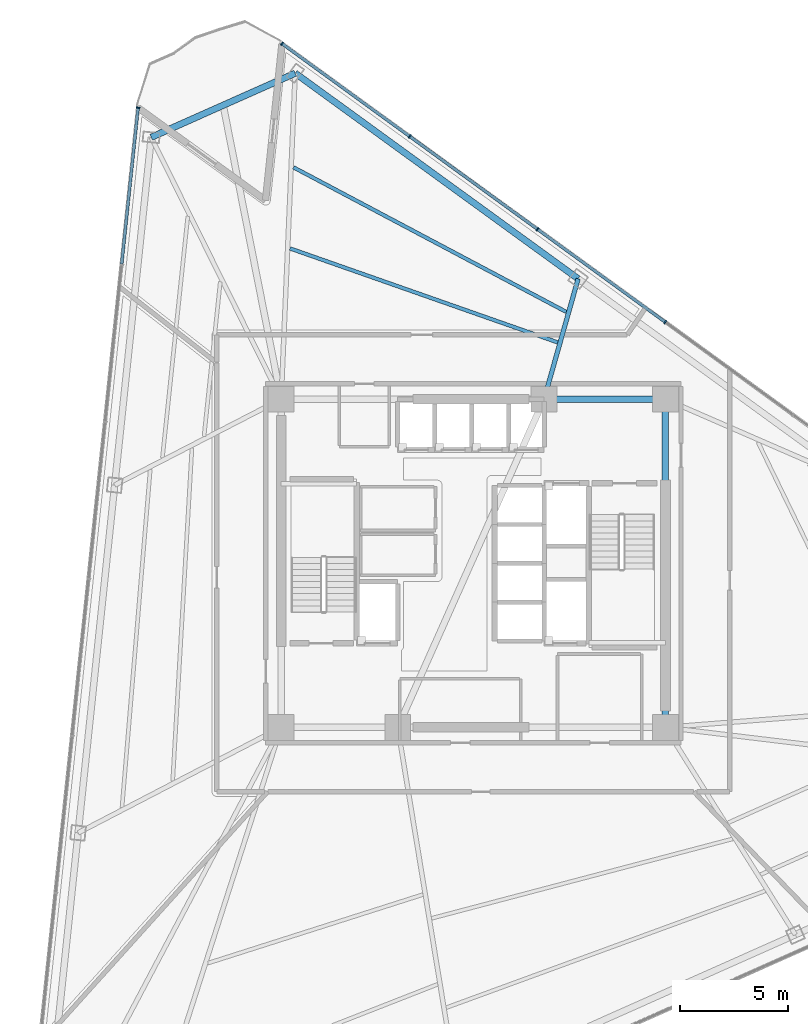
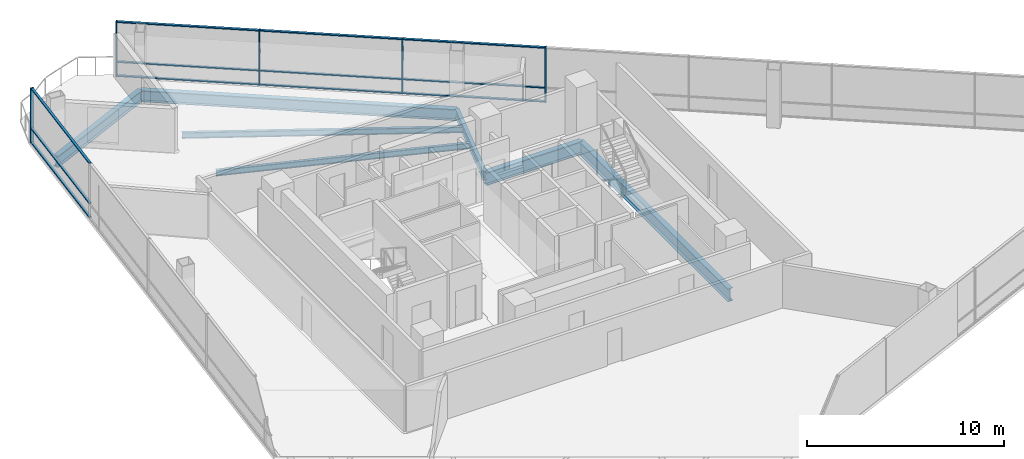
# One storey, part 8 of 16: 17 members, 7 beams, 2 elements without a shape of their own.
"""IFC4 building model written with IfcOpenShell, lengths in metres."""

from ifc_helpers import new_model, si_unit, direction, frame, origin, origin_2d, place, context, subcontext, project, spatial, rectangle, i_section, extrude, material, layer, layer_set, material_profile, profile_set, type_object, element, aggregate, save


model = new_model("IFC4")

# Units and contexts
model_context = context("Model", 3, precision=1e-05, world=origin(), true_north=direction((0.0, 1.0)))
body_context = subcontext(model_context, "Body", "Model", "MODEL_VIEW")
ifc_project = project(units=[si_unit("LENGTHUNIT", "METRE"), si_unit("AREAUNIT", "SQUARE_METRE"), si_unit("VOLUMEUNIT", "CUBIC_METRE"), si_unit("PLANEANGLEUNIT", "RADIAN"), si_unit("MASSUNIT", "GRAM", prefix="KILO")], contexts=[model_context])

# Site, building, storey
site_placement = place(None, origin())
site = spatial("IfcSite", under=ifc_project, at=site_placement, CompositionType="ELEMENT")
building_placement = place(site_placement, origin())
building = spatial("IfcBuilding", under=site, at=building_placement, Name="Tharavind Bronze Gate", CompositionType="ELEMENT")
storey_placement = place(building_placement, frame((0.0, 0.0, 123.25)))
storey = spatial("IfcBuildingStorey", under=building, at=storey_placement, Name="L31", CompositionType="ELEMENT", Elevation=123.25)

# Curtain wall, member
ifc_material_1 = material(Name="Anodised Bronze Aluminium", Category="aluminium")
ifc_layer = layer(ifc_material_1, 0.219970703125)
ifc_layer_set = layer_set([ifc_layer], Name="Anodised Bronze Aluminium")
curtain_wall_type = type_object("IfcCurtainWallType", Name="UNITISED CURTAIN WALL LOWER OFFICE", PredefinedType="USERDEFINED", material=ifc_layer_set)
curtain_wall_1_placement = place(storey_placement, origin())
curtain_wall_1 = element("IfcCurtainWall", 1, at=curtain_wall_1_placement, inside=storey, type_object=curtain_wall_type, Name="L31 unitised curtain wall lower office CW-L31-S1", ObjectType="UNITISED CURTAIN WALL", PredefinedType="USERDEFINED")
member_type_1 = type_object("IfcMemberType", Name="CURTAIN WALL BRONZE MULLION 65X180", PredefinedType="MULLION", material=ifc_material_1)
member_1_placement = place(storey_placement, frame((-15.527587890625, 21.101806640625, 0.0), z_axis=(0.0, 0.0, 1.0), x_axis=(-0.104526727499, -0.994522077803, 0.0)))
member_1 = element("IfcMember", 2, at=member_1_placement, type_object=member_type_1, Name="CW-L31-S1 mullion 1", PredefinedType="MULLION", context=body_context, shape_type="SweptSolid", body=[
    extrude(rectangle(XDim=0.06494140625, YDim=0.179931640625, at=origin_2d()), origin(), (0.0, 0.0, 1.0), 3.409912109375),
])

# Curtain wall, members
curtain_wall_2_placement = place(storey_placement, origin())
curtain_wall_2 = element("IfcCurtainWall", 3, at=curtain_wall_2_placement, inside=storey, type_object=curtain_wall_type, Name="L31 unitised curtain wall lower office CW-L31-S3", ObjectType="UNITISED CURTAIN WALL", PredefinedType="USERDEFINED")
member_2_placement = place(storey_placement, frame((8.89111328125, 11.1748046875, 0.0), z_axis=(0.0, 0.0, 1.0), x_axis=(-0.809016994375, 0.587785252292, 0.0)))
member_2 = element("IfcMember", 4, at=member_2_placement, type_object=member_type_1, Name="CW-L31-S3 mullion 5", PredefinedType="MULLION", context=body_context, shape_type="SweptSolid", body=[
    extrude(rectangle(XDim=0.06494140625, YDim=0.179931640625, at=origin_2d()), origin(), (0.0, 0.0, 1.0), 3.409912109375),
])
member_3_placement = place(storey_placement, frame((2.974609375, 15.473388671875, 0.0), z_axis=(0.0, 0.0, 1.0), x_axis=(-0.809016994375, 0.587785252292, 0.0)))
member_3 = element("IfcMember", 5, at=member_3_placement, type_object=member_type_1, Name="CW-L31-S3 mullion 6", PredefinedType="MULLION", context=body_context, shape_type="SweptSolid", body=[
    extrude(rectangle(XDim=0.06494140625, YDim=0.179931640625, at=origin_2d()), origin(), (0.0, 0.0, 1.0), 3.409912109375),
])
member_4_placement = place(storey_placement, frame((-2.942138671875, 19.772216796875, 0.0), z_axis=(0.0, 0.0, 1.0), x_axis=(-0.809016994375, 0.587785252292, 0.0)))
member_4 = element("IfcMember", 6, at=member_4_placement, type_object=member_type_1, Name="CW-L31-S3 mullion 7", PredefinedType="MULLION", context=body_context, shape_type="SweptSolid", body=[
    extrude(rectangle(XDim=0.06494140625, YDim=0.179931640625, at=origin_2d()), origin(), (0.0, 0.0, 1.0), 3.409912109375),
])
member_5_placement = place(storey_placement, frame((-8.85888671875, 24.07080078125, 0.0), z_axis=(0.0, 0.0, 1.0), x_axis=(-0.809016994375, 0.587785252292, 0.0)))
member_5 = element("IfcMember", 7, at=member_5_placement, type_object=member_type_1, Name="CW-L31-S3 mullion 8", PredefinedType="MULLION", context=body_context, shape_type="SweptSolid", body=[
    extrude(rectangle(XDim=0.06494140625, YDim=0.179931640625, at=origin_2d()), origin(), (0.0, 0.0, 1.0), 3.409912109375),
])

# Member
member_type_2 = type_object("IfcMemberType", Name="CURTAIN WALL BRONZE TRANSOM 65X140", PredefinedType="USERDEFINED", material=ifc_material_1)
member_6_placement = place(storey_placement, frame((-15.909912109375, 17.465087890625, 0.0), z_axis=(0.0, 0.0, 1.0), x_axis=(-0.104526727499, -0.994522077803, 0.0)))
member_6 = element("IfcMember", 8, at=member_6_placement, type_object=member_type_2, Name="CW-L31-S1 transom TB1", ObjectType="TRANSOM", PredefinedType="USERDEFINED", context=body_context, shape_type="SweptSolid", body=[
    extrude(rectangle(XDim=7.26025390625, YDim=0.139892578125, at=origin_2d()), origin(), (0.0, 0.0, 1.0), 0.06494140625),
])

member_7_placement = place(storey_placement, frame((-15.909912109375, 17.465087890625, 0.867431640625), z_axis=(0.0, 0.0, 1.0), x_axis=(-0.104526727499, -0.994522077803, 0.0)))
member_7 = element("IfcMember", 9, at=member_7_placement, type_object=member_type_2, Name="CW-L31-S1 transom TS1", ObjectType="TRANSOM", PredefinedType="USERDEFINED", context=body_context, shape_type="SweptSolid", body=[
    extrude(rectangle(XDim=7.26025390625, YDim=0.139892578125, at=origin_2d()), origin(), (0.0, 0.0, 1.0), 0.06494140625),
])

member_8_placement = place(storey_placement, frame((-15.909912109375, 17.465087890625, 3.344970703125), z_axis=(0.0, 0.0, 1.0), x_axis=(-0.104526727499, -0.994522077803, 0.0)))
member_8 = element("IfcMember", 10, at=member_8_placement, type_object=member_type_2, Name="CW-L31-S1 transom TT1", ObjectType="TRANSOM", PredefinedType="USERDEFINED", context=body_context, shape_type="SweptSolid", body=[
    extrude(rectangle(XDim=7.26025390625, YDim=0.139892578125, at=origin_2d()), origin(), (0.0, 0.0, 1.0), 0.06494140625),
])

aggregate(curtain_wall_1, [member_1, member_6, member_7, member_8])

member_9_placement = place(storey_placement, frame((5.932861328125, 13.32421875, 0.0), z_axis=(0.0, 0.0, 1.0), x_axis=(-0.809016994375, 0.587785252292, 0.0)))
member_9 = element("IfcMember", 11, at=member_9_placement, type_object=member_type_2, Name="CW-L31-S3 transom TB5", ObjectType="TRANSOM", PredefinedType="USERDEFINED", context=body_context, shape_type="SweptSolid", body=[
    extrude(rectangle(XDim=7.260498046875, YDim=0.139892578125, at=origin_2d()), origin(), (0.0, 0.0, 1.0), 0.06494140625),
])

member_10_placement = place(storey_placement, frame((5.932861328125, 13.32421875, 0.867431640625), z_axis=(0.0, 0.0, 1.0), x_axis=(-0.809016994375, 0.587785252292, 0.0)))
member_10 = element("IfcMember", 12, at=member_10_placement, type_object=member_type_2, Name="CW-L31-S3 transom TS5", ObjectType="TRANSOM", PredefinedType="USERDEFINED", context=body_context, shape_type="SweptSolid", body=[
    extrude(rectangle(XDim=7.260498046875, YDim=0.139892578125, at=origin_2d()), origin(), (0.0, 0.0, 1.0), 0.06494140625),
])

member_11_placement = place(storey_placement, frame((5.932861328125, 13.32421875, 3.344970703125), z_axis=(0.0, 0.0, 1.0), x_axis=(-0.809016994375, 0.587785252292, 0.0)))
member_11 = element("IfcMember", 13, at=member_11_placement, type_object=member_type_2, Name="CW-L31-S3 transom TT5", ObjectType="TRANSOM", PredefinedType="USERDEFINED", context=body_context, shape_type="SweptSolid", body=[
    extrude(rectangle(XDim=7.260498046875, YDim=0.139892578125, at=origin_2d()), origin(), (0.0, 0.0, 1.0), 0.06494140625),
])

member_12_placement = place(storey_placement, frame((0.01611328125, 17.622802734375, 0.0), z_axis=(0.0, 0.0, 1.0), x_axis=(-0.809016994375, 0.587785252292, 0.0)))
member_12 = element("IfcMember", 14, at=member_12_placement, type_object=member_type_2, Name="CW-L31-S3 transom TB6", ObjectType="TRANSOM", PredefinedType="USERDEFINED", context=body_context, shape_type="SweptSolid", body=[
    extrude(rectangle(XDim=7.260498046875, YDim=0.139892578125, at=origin_2d()), origin(), (0.0, 0.0, 1.0), 0.06494140625),
])

member_13_placement = place(storey_placement, frame((0.01611328125, 17.622802734375, 0.867431640625), z_axis=(0.0, 0.0, 1.0), x_axis=(-0.809016994375, 0.587785252292, 0.0)))
member_13 = element("IfcMember", 15, at=member_13_placement, type_object=member_type_2, Name="CW-L31-S3 transom TS6", ObjectType="TRANSOM", PredefinedType="USERDEFINED", context=body_context, shape_type="SweptSolid", body=[
    extrude(rectangle(XDim=7.260498046875, YDim=0.139892578125, at=origin_2d()), origin(), (0.0, 0.0, 1.0), 0.06494140625),
])

member_14_placement = place(storey_placement, frame((0.01611328125, 17.622802734375, 3.344970703125), z_axis=(0.0, 0.0, 1.0), x_axis=(-0.809016994375, 0.587785252292, 0.0)))
member_14 = element("IfcMember", 16, at=member_14_placement, type_object=member_type_2, Name="CW-L31-S3 transom TT6", ObjectType="TRANSOM", PredefinedType="USERDEFINED", context=body_context, shape_type="SweptSolid", body=[
    extrude(rectangle(XDim=7.260498046875, YDim=0.139892578125, at=origin_2d()), origin(), (0.0, 0.0, 1.0), 0.06494140625),
])

member_15_placement = place(storey_placement, frame((-5.900390625, 21.921630859375, 0.0), z_axis=(0.0, 0.0, 1.0), x_axis=(-0.809016994375, 0.587785252292, 0.0)))
member_15 = element("IfcMember", 17, at=member_15_placement, type_object=member_type_2, Name="CW-L31-S3 transom TB7", ObjectType="TRANSOM", PredefinedType="USERDEFINED", context=body_context, shape_type="SweptSolid", body=[
    extrude(rectangle(XDim=7.260498046875, YDim=0.139892578125, at=origin_2d()), origin(), (0.0, 0.0, 1.0), 0.06494140625),
])

member_16_placement = place(storey_placement, frame((-5.900390625, 21.921630859375, 0.867431640625), z_axis=(0.0, 0.0, 1.0), x_axis=(-0.809016994375, 0.587785252292, 0.0)))
member_16 = element("IfcMember", 18, at=member_16_placement, type_object=member_type_2, Name="CW-L31-S3 transom TS7", ObjectType="TRANSOM", PredefinedType="USERDEFINED", context=body_context, shape_type="SweptSolid", body=[
    extrude(rectangle(XDim=7.260498046875, YDim=0.139892578125, at=origin_2d()), origin(), (0.0, 0.0, 1.0), 0.06494140625),
])

member_17_placement = place(storey_placement, frame((-5.900390625, 21.921630859375, 3.344970703125), z_axis=(0.0, 0.0, 1.0), x_axis=(-0.809016994375, 0.587785252292, 0.0)))
member_17 = element("IfcMember", 19, at=member_17_placement, type_object=member_type_2, Name="CW-L31-S3 transom TT7", ObjectType="TRANSOM", PredefinedType="USERDEFINED", context=body_context, shape_type="SweptSolid", body=[
    extrude(rectangle(XDim=7.260498046875, YDim=0.139892578125, at=origin_2d()), origin(), (0.0, 0.0, 1.0), 0.06494140625),
])

aggregate(curtain_wall_2, [member_2, member_3, member_4, member_5, member_9, member_10, member_11, member_12, member_13, member_14, member_15, member_16, member_17])

# Beams
ifc_material_2 = material(Name="Steel S355", Category="steel")
ifc_material_profile_1 = material_profile(ifc_material_2, i_section(OverallWidth=0.2099609375, OverallDepth=0.550048828125, WebThickness=0.010986328125, FlangeThickness=0.01708984375, at=origin_2d()), Name="IPE550")
ifc_profile_set_1 = profile_set([ifc_material_profile_1], Name="Steel S355")
beam_type_1 = type_object("IfcBeamType", Name="PRIMARY GIRDER IPE550", PredefinedType="USERDEFINED", material=ifc_profile_set_1)
beam_1_placement = place(storey_placement, frame((4.856201171875, 13.179443359375, -0.465087890625), z_axis=(-0.271861210874, -0.962336470275, 0.0), x_axis=(0.962336470275, -0.271861210874, 0.0)))
element("IfcBeam", 20, at=beam_1_placement, inside=storey, type_object=beam_type_1, Name="L31 primary girder ipe550 BM-L31-RAD11", ObjectType="GIRDER", PredefinedType="USERDEFINED", context=body_context, shape_type="SweptSolid", body=[
    extrude(i_section(OverallWidth=0.2099609375, OverallDepth=0.550048828125, WebThickness=0.010986328125, FlangeThickness=0.01708984375, at=origin_2d()), origin(), (0.0, 0.0, 1.0), 5.797607421875),
])
ifc_material_profile_2 = material_profile(ifc_material_2, i_section(OverallWidth=0.300048828125, OverallDepth=0.699951171875, WebThickness=0.01708984375, FlangeThickness=0.031982421875, at=origin_2d()), Name="HE700B")
ifc_profile_set_2 = profile_set([ifc_material_profile_2], Name="Steel S355")
beam_type_2 = type_object("IfcBeamType", Name="RING GIRDER HE700B", PredefinedType="USERDEFINED", material=ifc_profile_set_2)
beam_2_placement = place(storey_placement, frame((4.856201171875, 13.179443359375, -0.5400390625), z_axis=(-0.809014294341, 0.587788968553, 0.0), x_axis=(-0.587788968553, -0.809014294341, 0.0)))
element("IfcBeam", 21, at=beam_2_placement, inside=storey, type_object=beam_type_2, Name="L31 ring girder he700b BM-L31-PRG11", ObjectType="GIRDER", PredefinedType="USERDEFINED", context=body_context, shape_type="SweptSolid", body=[
    extrude(i_section(OverallWidth=0.300048828125, OverallDepth=0.699951171875, WebThickness=0.01708984375, FlangeThickness=0.031982421875, at=origin_2d()), origin(), (0.0, 0.0, 1.0), 16.198486328125),
])
beam_3_placement = place(storey_placement, frame((-8.24853515625, 22.70068359375, -0.5400390625), z_axis=(-0.913543802, -0.40674036169, 0.0), x_axis=(0.40674036169, -0.913543802, 0.0)))
element("IfcBeam", 22, at=beam_3_placement, inside=storey, type_object=beam_type_2, Name="L31 ring girder he700b BM-L31-PRG12", ObjectType="GIRDER", PredefinedType="USERDEFINED", context=body_context, shape_type="SweptSolid", body=[
    extrude(i_section(OverallWidth=0.300048828125, OverallDepth=0.699951171875, WebThickness=0.01708984375, FlangeThickness=0.031982421875, at=origin_2d()), origin(), (0.0, 0.0, 1.0), 7.300048828125),
])
ifc_material_profile_3 = material_profile(ifc_material_2, i_section(OverallWidth=0.300048828125, OverallDepth=0.800048828125, WebThickness=0.017578125, FlangeThickness=0.032958984375, at=origin_2d()), Name="HE800B")
ifc_profile_set_3 = profile_set([ifc_material_profile_3], Name="Steel S355")
beam_type_3 = type_object("IfcBeamType", Name="RING GIRDER HE800B", PredefinedType="USERDEFINED", material=ifc_profile_set_3)
beam_4_placement = place(storey_placement, frame((8.89990234375, -7.60009765625, -0.590087890625), z_axis=(0.0, 1.0, 0.0), x_axis=(-1.0, 0.0, 0.0)))
element("IfcBeam", 23, at=beam_4_placement, inside=storey, type_object=beam_type_3, Name="L31 ring girder he800b BM-L31-CR3", ObjectType="GIRDER", PredefinedType="USERDEFINED", context=body_context, shape_type="SweptSolid", body=[
    extrude(i_section(OverallWidth=0.300048828125, OverallDepth=0.800048828125, WebThickness=0.017578125, FlangeThickness=0.032958984375, at=origin_2d()), origin(), (0.0, 0.0, 1.0), 15.2001953125),
])
beam_5_placement = place(storey_placement, frame((8.89990234375, 7.60009765625, -0.590087890625), z_axis=(-1.0, 0.0, 0.0), x_axis=(0.0, -1.0, 0.0)))
element("IfcBeam", 24, at=beam_5_placement, inside=storey, type_object=beam_type_3, Name="L31 ring girder he800b BM-L31-CR4", ObjectType="GIRDER", PredefinedType="USERDEFINED", context=body_context, shape_type="SweptSolid", body=[
    extrude(i_section(OverallWidth=0.300048828125, OverallDepth=0.800048828125, WebThickness=0.017578125, FlangeThickness=0.032958984375, at=origin_2d()), origin(), (0.0, 0.0, 1.0), 5.619873046875),
])
ifc_material_profile_4 = material_profile(ifc_material_2, i_section(OverallWidth=0.169921875, OverallDepth=0.360107421875, WebThickness=0.008056640625, FlangeThickness=0.0126953125, at=origin_2d()), Name="IPE360")
ifc_profile_set_4 = profile_set([ifc_material_profile_4], Name="Steel S355")
beam_type_4 = type_object("IfcBeamType", Name="SECONDARY FLOOR JOIST IPE360", PredefinedType="JOIST", material=ifc_profile_set_4)
beam_6_placement = place(storey_placement, frame((3.909912109375, 10.230712890625, -0.3701171875), z_axis=(-0.94354019652, 0.33125805281, 0.0), x_axis=(-0.33125805281, -0.94354019652, 0.0)))
element("IfcBeam", 25, at=beam_6_placement, inside=storey, type_object=beam_type_4, Name="L31 secondary floor joist ipe360 BM-L31-JSTA11", PredefinedType="JOIST", context=body_context, shape_type="SweptSolid", body=[
    extrude(i_section(OverallWidth=0.169921875, OverallDepth=0.360107421875, WebThickness=0.008056640625, FlangeThickness=0.0126953125, at=origin_2d()), origin(), (0.0, 0.0, 1.0), 13.1416015625),
])
beam_7_placement = place(storey_placement, frame((4.30859375, 11.6416015625, -0.3701171875), z_axis=(-0.883525360926, 0.468383322291, 0.0), x_axis=(-0.468383322291, -0.883525360926, 0.0)))
element("IfcBeam", 26, at=beam_7_placement, inside=storey, type_object=beam_type_4, Name="L31 secondary floor joist ipe360 BM-L31-JSTB11", PredefinedType="JOIST", context=body_context, shape_type="SweptSolid", body=[
    extrude(i_section(OverallWidth=0.169921875, OverallDepth=0.360107421875, WebThickness=0.008056640625, FlangeThickness=0.0126953125, at=origin_2d()), origin(), (0.0, 0.0, 1.0), 14.30224609375),
])

save(model, "model.ifc")
